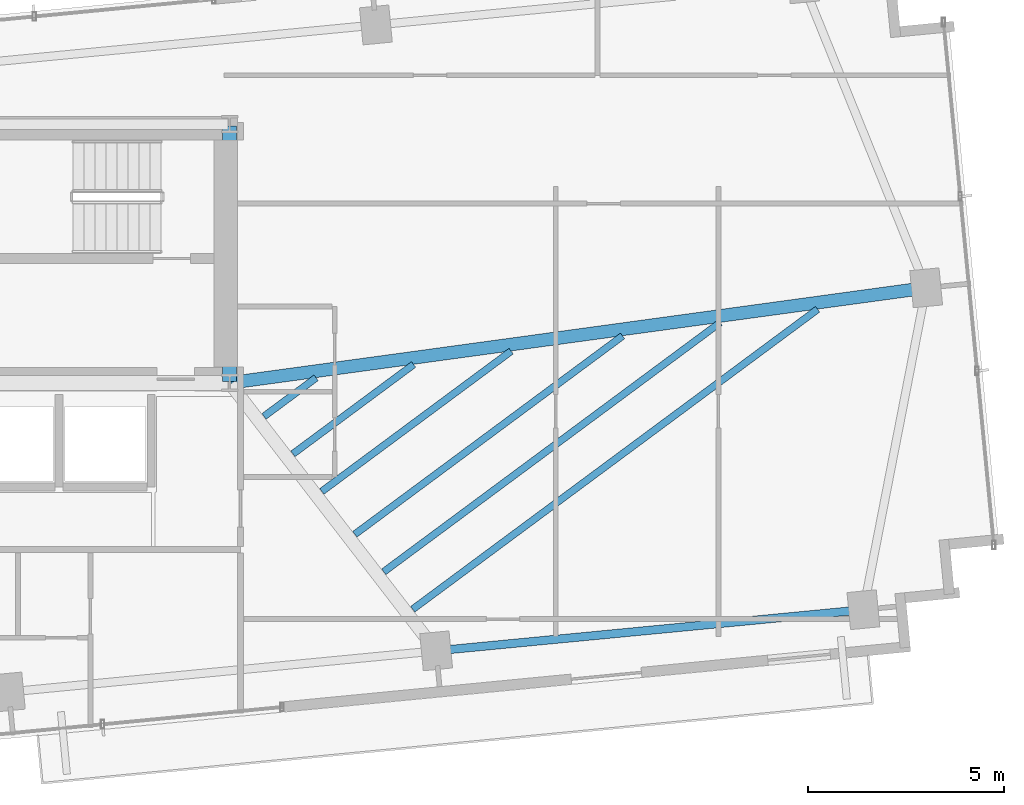
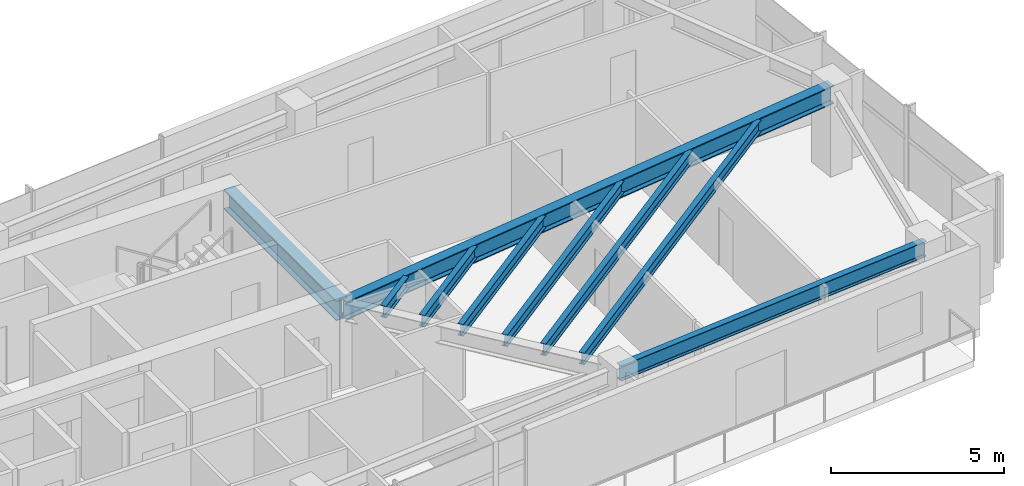
# One storey, part 9 of 18: 9 beams.
"""IFC4 building model written with IfcOpenShell, lengths in metres."""

from ifc_helpers import new_model, si_unit, direction, frame, origin, origin_2d, place, context, subcontext, project, spatial, i_section, extrude, source, transform, mapped, material, material_profile, profile_set, type_object, type_shapes, element, save


model = new_model("IFC4")

# Units and contexts
model_context = context("Model", 3, precision=1e-05, world=origin(), true_north=direction((0.0, 1.0)))
body_context = subcontext(model_context, "Body", "Model", "MODEL_VIEW")
ifc_project = project(units=[si_unit("LENGTHUNIT", "METRE"), si_unit("AREAUNIT", "SQUARE_METRE"), si_unit("VOLUMEUNIT", "CUBIC_METRE"), si_unit("PLANEANGLEUNIT", "RADIAN"), si_unit("MASSUNIT", "GRAM", prefix="KILO")], contexts=[model_context])

# Site, building, storey
site_placement = place(None, origin())
site = spatial("IfcSite", under=ifc_project, at=site_placement, CompositionType="ELEMENT")
building_placement = place(site_placement, origin())
building = spatial("IfcBuilding", under=site, at=building_placement, Name="Astriad Promenade Condominiums", CompositionType="ELEMENT")
storey_placement = place(building_placement, frame((0.0, 0.0, 173.0)))
storey = spatial("IfcBuildingStorey", under=building, at=storey_placement, Name="L49", CompositionType="ELEMENT", Elevation=173.0)

# Beams
ifc_material = material(Name="Steel ASTM A992 Grade 50", Category="steel")
ifc_material_profile_1 = material_profile(ifc_material, i_section(OverallWidth=0.35791015625, OverallDepth=0.706298828125, WebThickness=0.018310546875, FlangeThickness=0.0302734375, FilletRadius=0.020263671875, at=origin_2d()), Name="W27X178")
ifc_profile_set_1 = profile_set([ifc_material_profile_1], Name="Steel ASTM A992 Grade 50")
beam_type_1 = type_object("IfcBeamType", Name="STEEL FLOOR GIRDER W27X178", PredefinedType="BEAM", material=ifc_profile_set_1)
shared_shape_1 = source(origin(), body_context, "Body", "SweptSolid", [
    extrude(i_section(OverallWidth=0.35791015625, OverallDepth=0.706298828125, WebThickness=0.018310546875, FlangeThickness=0.0302734375, FilletRadius=0.020263671875, at=origin_2d()), origin(), (0.0, 0.0, 1.0), 6.52001953125),
])
type_shapes(beam_type_1, [shared_shape_1])
beam_1_placement = place(storey_placement, frame((45.60009765625, 17.43994140625, 2.5869140625), z_axis=(0.0, 1.0, 0.0), x_axis=(-1.0, 0.0, 0.0)))
element("IfcBeam", 1, at=beam_1_placement, inside=storey, type_object=beam_type_1, Name="Core Ring Beam CG-E1-L49", PredefinedType="BEAM", context=body_context, shape_type="MappedRepresentation", body=[
    mapped(shared_shape_1, transform((0.0, 0.0, 0.0), scale=1.0)),
])
ifc_material_profile_2 = material_profile(ifc_material, i_section(OverallWidth=0.210693359375, OverallDepth=0.53955078125, WebThickness=0.01171875, FlangeThickness=0.018798828125, FilletRadius=0.0166015625, at=origin_2d()), Name="W21X73")
ifc_profile_set_2 = profile_set([ifc_material_profile_2], Name="Steel ASTM A992 Grade 50")
beam_type_2 = type_object("IfcBeamType", Name="STEEL SPANDREL BEAM W21X73", PredefinedType="SPANDREL", material=ifc_profile_set_2)
shared_shape_2 = source(origin(), body_context, "Body", "SweptSolid", [
    extrude(i_section(OverallWidth=0.210693359375, OverallDepth=0.53955078125, WebThickness=0.01171875, FlangeThickness=0.018798828125, FilletRadius=0.0166015625, at=origin_2d()), origin(), (0.0, 0.0, 1.0), 10.869873046875),
])
type_shapes(beam_type_2, [shared_shape_2])
beam_2_placement = place(storey_placement, frame((50.908203125, 10.5703125, 2.67041015625), z_axis=(0.995396922692, 0.095838229819, 0.0), x_axis=(-0.095838229819, 0.995396922692, 0.0)))
element("IfcBeam", 2, at=beam_2_placement, inside=storey, type_object=beam_type_2, Name="Perimeter Spandrel Beam SP-S4-L49", PredefinedType="SPANDREL", context=body_context, shape_type="MappedRepresentation", body=[
    mapped(shared_shape_2, transform((0.0, 0.0, 0.0), scale=1.0)),
])
ifc_material_profile_3 = material_profile(ifc_material, i_section(OverallWidth=0.327392578125, OverallDepth=0.640625, WebThickness=0.01904296875, FlangeThickness=0.033935546875, FilletRadius=0.017822265625, at=origin_2d()), Name="W24X176")
ifc_profile_set_3 = profile_set([ifc_material_profile_3], Name="Steel ASTM A992 Grade 50")
beam_type_3 = type_object("IfcBeamType", Name="STEEL FLOOR GIRDER W24X176", PredefinedType="BEAM", material=ifc_profile_set_3)
shared_shape_3 = source(origin(), body_context, "Body", "SweptSolid", [
    extrude(i_section(OverallWidth=0.327392578125, OverallDepth=0.640625, WebThickness=0.01904296875, FlangeThickness=0.033935546875, FilletRadius=0.017822265625, at=origin_2d()), origin(), (0.0, 0.0, 1.0), 17.853271484375),
])
type_shapes(beam_type_3, [shared_shape_3])
beam_3_placement = place(storey_placement, frame((63.32861328125, 19.82177734375, 2.61962890625), z_axis=(-0.990799186345, -0.135340209612, 0.0), x_axis=(0.135340209612, -0.990799186345, 0.0)))
element("IfcBeam", 3, at=beam_3_placement, inside=storey, type_object=beam_type_3, Name="Primary Floor Girder PG-EM-L49", PredefinedType="BEAM", context=body_context, shape_type="MappedRepresentation", body=[
    mapped(shared_shape_3, transform((0.0, 0.0, 0.0), scale=1.0)),
])
ifc_material_profile_4 = material_profile(ifc_material, i_section(OverallWidth=0.180908203125, OverallDepth=0.417236328125, WebThickness=0.010986328125, FlangeThickness=0.018310546875, FilletRadius=0.013916015625, at=origin_2d()), Name="W16X57")
ifc_profile_set_4 = profile_set([ifc_material_profile_4], Name="Steel ASTM A992 Grade 50")
beam_type_4 = type_object("IfcBeamType", Name="STEEL FLOOR JOIST W16X57", PredefinedType="JOIST", material=ifc_profile_set_4)
shared_shape_4 = source(origin(), body_context, "Body", "SweptSolid", [
    extrude(i_section(OverallWidth=0.180908203125, OverallDepth=0.417236328125, WebThickness=0.010986328125, FlangeThickness=0.018310546875, FilletRadius=0.013916015625, at=origin_2d()), origin(), (0.0, 0.0, 1.0), 12.85498046875),
])
beam_4_placement = place(storey_placement, frame((50.27001953125, 11.626220703125, 2.731201171875), z_axis=(0.803505042716, 0.595297947526, 0.0), x_axis=(-0.595297947526, 0.803505042716, 0.0)))
element("IfcBeam", 4, at=beam_4_placement, inside=storey, type_object=beam_type_4, Name="Secondary Composite Floor Joist JE1-1-L49", PredefinedType="JOIST", context=body_context, shape_type="MappedRepresentation", body=[
    mapped(shared_shape_4, transform((0.0, 0.0, 0.0), scale=1.0)),
])
shared_shape_5 = source(origin(), body_context, "Body", "SweptSolid", [
    extrude(i_section(OverallWidth=0.180908203125, OverallDepth=0.417236328125, WebThickness=0.010986328125, FlangeThickness=0.018310546875, FilletRadius=0.013916015625, at=origin_2d()), origin(), (0.0, 0.0, 1.0), 10.677001953125),
])
beam_5_placement = place(storey_placement, frame((49.532470703125, 12.5830078125, 2.731201171875), z_axis=(0.803509393025, 0.595292075641, 0.0), x_axis=(-0.595292075641, 0.803509393025, 0.0)))
element("IfcBeam", 5, at=beam_5_placement, inside=storey, type_object=beam_type_4, Name="Secondary Composite Floor Joist JE1-2-L49", PredefinedType="JOIST", context=body_context, shape_type="MappedRepresentation", body=[
    mapped(shared_shape_5, transform((0.0, 0.0, 0.0), scale=1.0)),
])
shared_shape_6 = source(origin(), body_context, "Body", "SweptSolid", [
    extrude(i_section(OverallWidth=0.180908203125, OverallDepth=0.417236328125, WebThickness=0.010986328125, FlangeThickness=0.018310546875, FilletRadius=0.013916015625, at=origin_2d()), origin(), (0.0, 0.0, 1.0), 8.4990234375),
])
beam_6_placement = place(storey_placement, frame((48.794921875, 13.539794921875, 2.731201171875), z_axis=(0.803515972929, 0.595283194159, 0.0), x_axis=(-0.595283194159, 0.803515972929, 0.0)))
element("IfcBeam", 6, at=beam_6_placement, inside=storey, type_object=beam_type_4, Name="Secondary Composite Floor Joist JE1-3-L49", PredefinedType="JOIST", context=body_context, shape_type="MappedRepresentation", body=[
    mapped(shared_shape_6, transform((0.0, 0.0, 0.0), scale=1.0)),
])
shared_shape_7 = source(origin(), body_context, "Body", "SweptSolid", [
    extrude(i_section(OverallWidth=0.180908203125, OverallDepth=0.417236328125, WebThickness=0.010986328125, FlangeThickness=0.018310546875, FilletRadius=0.013916015625, at=origin_2d()), origin(), (0.0, 0.0, 1.0), 6.01025390625),
])
beam_7_placement = place(storey_placement, frame((47.951904296875, 14.633056640625, 2.731201171875), z_axis=(0.803510418138, 0.595290691968, 0.0), x_axis=(-0.595290691968, 0.803510418138, 0.0)))
element("IfcBeam", 7, at=beam_7_placement, inside=storey, type_object=beam_type_4, Name="Secondary Composite Floor Joist JE1-4-L49", PredefinedType="JOIST", context=body_context, shape_type="MappedRepresentation", body=[
    mapped(shared_shape_7, transform((0.0, 0.0, 0.0), scale=1.0)),
])
shared_shape_8 = source(origin(), body_context, "Body", "SweptSolid", [
    extrude(i_section(OverallWidth=0.180908203125, OverallDepth=0.417236328125, WebThickness=0.010986328125, FlangeThickness=0.018310546875, FilletRadius=0.013916015625, at=origin_2d()), origin(), (0.0, 0.0, 1.0), 3.832275390625),
])
beam_8_placement = place(storey_placement, frame((47.21435546875, 15.58984375, 2.731201171875), z_axis=(0.803525593062, 0.59527020864, 0.0), x_axis=(-0.59527020864, 0.803525593062, 0.0)))
element("IfcBeam", 8, at=beam_8_placement, inside=storey, type_object=beam_type_4, Name="Secondary Composite Floor Joist JE1-5-L49", PredefinedType="JOIST", context=body_context, shape_type="MappedRepresentation", body=[
    mapped(shared_shape_8, transform((0.0, 0.0, 0.0), scale=1.0)),
])
shared_shape_9 = source(origin(), body_context, "Body", "SweptSolid", [
    extrude(i_section(OverallWidth=0.180908203125, OverallDepth=0.417236328125, WebThickness=0.010986328125, FlangeThickness=0.018310546875, FilletRadius=0.013916015625, at=origin_2d()), origin(), (0.0, 0.0, 1.0), 1.654541015625),
])
type_shapes(beam_type_4, [shared_shape_4, shared_shape_5, shared_shape_6, shared_shape_7, shared_shape_8, shared_shape_9])
beam_9_placement = place(storey_placement, frame((46.476806640625, 16.54638671875, 2.731201171875), z_axis=(0.803510136239, 0.595291072468, 0.0), x_axis=(-0.595291072468, 0.803510136239, 0.0)))
element("IfcBeam", 9, at=beam_9_placement, inside=storey, type_object=beam_type_4, Name="Secondary Composite Floor Joist JE1-6-L49", PredefinedType="JOIST", context=body_context, shape_type="MappedRepresentation", body=[
    mapped(shared_shape_9, transform((0.0, 0.0, 0.0), scale=1.0)),
])

save(model, "model.ifc")
